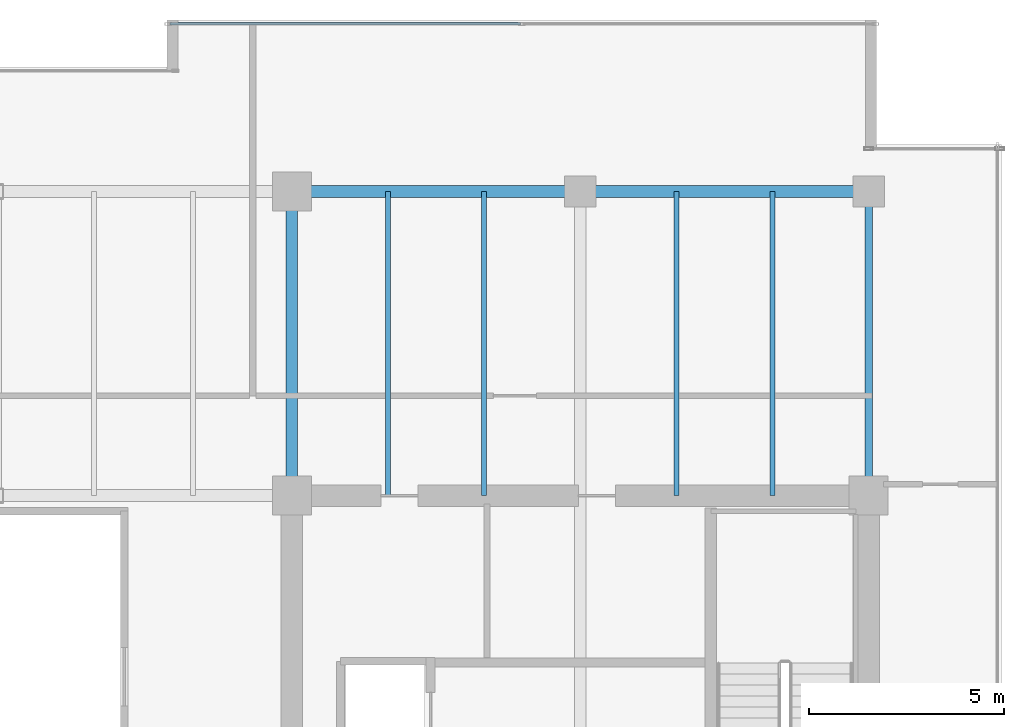
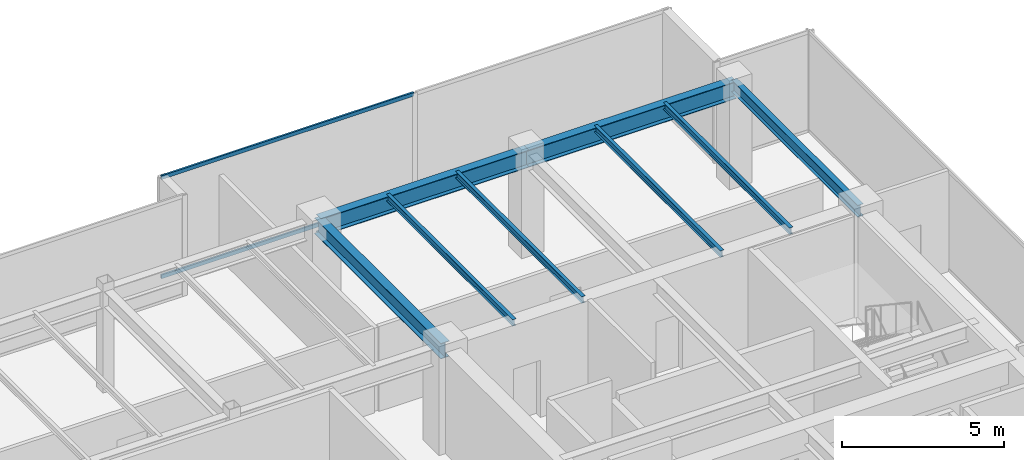
# One storey, part 20 of 33: 8 beams, 2 members, 1 element without a shape of its own.
"""IFC4 building model written with IfcOpenShell, lengths in metres."""

from ifc_helpers import new_model, si_unit, direction, frame, origin, origin_2d, place, context, subcontext, project, spatial, hollow_rectangle, i_section, extrude, source, transform, mapped, material, layer, layer_set, material_profile, profile_set, type_object, type_shapes, element, aggregate, save


model = new_model("IFC4")

# Units and contexts
model_context = context("Model", 3, precision=1e-05, world=origin(), true_north=direction((0.0, 1.0)))
body_context = subcontext(model_context, "Body", "Model", "MODEL_VIEW")
ifc_project = project(units=[si_unit("LENGTHUNIT", "METRE"), si_unit("AREAUNIT", "SQUARE_METRE"), si_unit("VOLUMEUNIT", "CUBIC_METRE"), si_unit("PLANEANGLEUNIT", "RADIAN"), si_unit("MASSUNIT", "GRAM", prefix="KILO")], contexts=[model_context])

# Site, building, storey
site_placement = place(None, origin())
site = spatial("IfcSite", under=ifc_project, at=site_placement, CompositionType="ELEMENT")
building_placement = place(site_placement, origin())
building = spatial("IfcBuilding", under=site, at=building_placement, Name="Haelvirn Gate Laboratories", CompositionType="ELEMENT")
storey_placement = place(building_placement, frame((0.0, 0.0, 250.60009765625)))
storey = spatial("IfcBuildingStorey", under=building, at=storey_placement, Name="L60", CompositionType="ELEMENT", Elevation=250.60009765625)

# Beams
ifc_material_1 = material(Name="Steel SM355", Category="steel")
ifc_material_profile_1 = material_profile(ifc_material_1, i_section(OverallWidth=0.300048828125, OverallDepth=0.587890625, WebThickness=0.011962890625, FlangeThickness=0.02001953125, at=origin_2d()), Name="H-588x300x12x20")
ifc_profile_set_1 = profile_set([ifc_material_profile_1], Name="Steel SM355")
beam_type_1 = type_object("IfcBeamType", Name="BM-G-588", PredefinedType="BEAM", material=ifc_profile_set_1)
shared_shape_1 = source(origin(), body_context, "Body", "SweptSolid", [
    extrude(i_section(OverallWidth=0.300048828125, OverallDepth=0.587890625, WebThickness=0.011962890625, FlangeThickness=0.02001953125, at=origin_2d()), origin(), (0.0, 0.0, 1.0), 7.800048828125),
])
type_shapes(beam_type_1, [shared_shape_1])
beam_1_placement = place(storey_placement, frame((52.60009765625, 33.800048828125, 3.505859375), z_axis=(0.0, 1.0, 0.0), x_axis=(-1.0, 0.0, 0.0)))
element("IfcBeam", 1, at=beam_1_placement, inside=storey, type_object=beam_type_1, Name="L60 Frame Girder X52.6 (33.8-41.6)", PredefinedType="BEAM", context=body_context, shape_type="MappedRepresentation", body=[
    mapped(shared_shape_1, transform((0.0, 0.0, 0.0), scale=1.0)),
])
ifc_material_profile_2 = material_profile(ifc_material_1, i_section(OverallWidth=0.300048828125, OverallDepth=0.64990234375, WebThickness=0.012939453125, FlangeThickness=0.02197265625, at=origin_2d()), Name="H-650x300x13x22")
ifc_profile_set_2 = profile_set([ifc_material_profile_2], Name="Steel SM355")
beam_type_2 = type_object("IfcBeamType", Name="BM-G-650", PredefinedType="BEAM", material=ifc_profile_set_2)
shared_shape_2 = source(origin(), body_context, "Body", "SweptSolid", [
    extrude(i_section(OverallWidth=0.300048828125, OverallDepth=0.64990234375, WebThickness=0.012939453125, FlangeThickness=0.02197265625, at=origin_2d()), origin(), (0.0, 0.0, 1.0), 7.39990234375),
])
type_shapes(beam_type_2, [shared_shape_2])
for number, where, z_axis, x_axis, name in (
    (2, (52.60009765625, 41.60009765625, 3.474853515625), (1.0, 0.0, 0.0), (0.0, 1.0, 0.0), "L60 Primary Girder Y41.6 (52.6-60.0)"),
    (3, (60.0, 41.60009765625, 3.474853515625), (1.0, 0.0, 0.0), (0.0, 1.0, 0.0), "L60 Primary Girder Y41.6 (60.0-67.4)"),
):
    element("IfcBeam", number, at=place(storey_placement, frame(where, z_axis=z_axis, x_axis=x_axis)), inside=storey, type_object=beam_type_2, Name=name, PredefinedType="BEAM", context=body_context, shape_type="MappedRepresentation", body=[
        mapped(shared_shape_2, transform((0.0, 0.0, 0.0), scale=1.0)),
    ])
ifc_material_profile_3 = material_profile(ifc_material_1, i_section(OverallWidth=0.199951171875, OverallDepth=0.449951171875, WebThickness=0.009033203125, FlangeThickness=0.013916015625, at=origin_2d()), Name="H-450x200x9x14")
ifc_profile_set_3 = profile_set([ifc_material_profile_3], Name="Steel SM355")
beam_type_3 = type_object("IfcBeamType", Name="BM-SP-450", PredefinedType="SPANDREL", material=ifc_profile_set_3)
shared_shape_3 = source(origin(), body_context, "Body", "SweptSolid", [
    extrude(i_section(OverallWidth=0.199951171875, OverallDepth=0.449951171875, WebThickness=0.009033203125, FlangeThickness=0.013916015625, at=origin_2d()), origin(), (0.0, 0.0, 1.0), 7.800048828125),
])
type_shapes(beam_type_3, [shared_shape_3])
beam_2_placement = place(storey_placement, frame((67.39990234375, 33.800048828125, 3.574951171875), z_axis=(0.0, 1.0, 0.0), x_axis=(-1.0, 0.0, 0.0)))
element("IfcBeam", 4, at=beam_2_placement, inside=storey, type_object=beam_type_3, Name="L60 Perimeter Spandrel X67.4 (33.8-41.6)", PredefinedType="SPANDREL", context=body_context, shape_type="MappedRepresentation", body=[
    mapped(shared_shape_3, transform((0.0, 0.0, 0.0), scale=1.0)),
])
ifc_material_profile_4 = material_profile(ifc_material_1, i_section(OverallWidth=0.125, OverallDepth=0.25, WebThickness=0.006103515625, FlangeThickness=0.009033203125, at=origin_2d()), Name="H-250x125x6x9")
ifc_profile_set_4 = profile_set([ifc_material_profile_4], Name="Steel SM355")
beam_type_4 = type_object("IfcBeamType", Name="BM-J-250", PredefinedType="JOIST", material=ifc_profile_set_4)
shared_shape_4 = source(origin(), body_context, "Body", "SweptSolid", [
    extrude(i_section(OverallWidth=0.125, OverallDepth=0.25, WebThickness=0.006103515625, FlangeThickness=0.009033203125, at=origin_2d()), origin(), (0.0, 0.0, 1.0), 7.800048828125),
])
type_shapes(beam_type_4, [shared_shape_4])
for number, where, z_axis, x_axis, name in (
    (5, (55.070068359375, 33.800048828125, 3.6748046875), (0.0, 1.0, 0.0), (-1.0, 0.0, 0.0), "L60 Composite Lab Joist North X55.07"),
    (6, (57.530029296875, 33.800048828125, 3.6748046875), (0.0, 1.0, 0.0), (-1.0, 0.0, 0.0), "L60 Composite Lab Joist North X57.53"),
    (7, (62.469970703125, 33.800048828125, 3.6748046875), (0.0, 1.0, 0.0), (-1.0, 0.0, 0.0), "L60 Composite Lab Joist North X62.47"),
    (8, (64.929931640625, 33.800048828125, 3.6748046875), (0.0, 1.0, 0.0), (-1.0, 0.0, 0.0), "L60 Composite Lab Joist North X64.93"),
):
    element("IfcBeam", number, at=place(storey_placement, frame(where, z_axis=z_axis, x_axis=x_axis)), inside=storey, type_object=beam_type_4, Name=name, PredefinedType="JOIST", context=body_context, shape_type="MappedRepresentation", body=[
        mapped(shared_shape_4, transform((0.0, 0.0, 0.0), scale=1.0)),
    ])

# Curtain wall, members
ifc_material_2 = material(Name="Anodised bronze unitised aluminium & triple low-E glass", Category="aluminium")
ifc_layer = layer(ifc_material_2, 0.176025390625, Name="CW-SYS-4")
ifc_layer_set = layer_set([ifc_layer], Name="Anodised bronze unitised aluminium & triple low-E glass")
curtain_wall_type = type_object("IfcCurtainWallType", Name="CW-SYS-4", PredefinedType="NOTDEFINED", material=ifc_layer_set)
curtain_wall_placement = place(storey_placement, origin())
curtain_wall = element("IfcCurtainWall", 9, at=curtain_wall_placement, inside=storey, type_object=curtain_wall_type, Name="L60 Unitised Curtain Wall CW-L60-P0-E10-1", PredefinedType="NOTDEFINED")
ifc_material_3 = material(Name="Extruded aluminium 6063-T6 (anodised bronze)", Category="aluminium")
ifc_material_profile_5 = material_profile(ifc_material_3, hollow_rectangle(XDim=0.06494140625, YDim=0.139892578125, WallThickness=0.00390625, at=origin_2d()), Name="CWT-140x65x4")
ifc_profile_set_5 = profile_set([ifc_material_profile_5], Name="Extruded aluminium 6063-T6 (anodised bronze)")
member_type = type_object("IfcMemberType", Name="CWT-T140", PredefinedType="USERDEFINED", material=ifc_profile_set_5)
shared_shape_5 = source(origin(), body_context, "Body", "SweptSolid", [
    extrude(hollow_rectangle(XDim=0.06494140625, YDim=0.139892578125, WallThickness=0.00390625, at=origin_2d()), origin(), (0.0, 0.0, 1.0), 8.9951171875),
])
type_shapes(member_type, [shared_shape_5])
member_1_placement = place(storey_placement, frame((49.469970703125, 45.89990234375, 0.032470703125), z_axis=(1.0, 0.0, 0.0), x_axis=(0.0, 1.0, 0.0)))
member_1 = element("IfcMember", 10, at=member_1_placement, type_object=member_type, Name="CW4 transom 1.1", ObjectType="TRANSOM", PredefinedType="USERDEFINED", context=body_context, shape_type="MappedRepresentation", body=[
    mapped(shared_shape_5, transform((0.0, 0.0, 0.0), scale=1.0)),
])
member_2_placement = place(storey_placement, frame((49.469970703125, 45.89990234375, 3.767333984375), z_axis=(1.0, 0.0, 0.0), x_axis=(0.0, 1.0, 0.0)))
member_2 = element("IfcMember", 11, at=member_2_placement, type_object=member_type, Name="CW4 transom 1.2", ObjectType="TRANSOM", PredefinedType="USERDEFINED", context=body_context, shape_type="MappedRepresentation", body=[
    mapped(shared_shape_5, transform((0.0, 0.0, 0.0), scale=1.0)),
])
aggregate(curtain_wall, [member_1, member_2])

save(model, "model.ifc")
